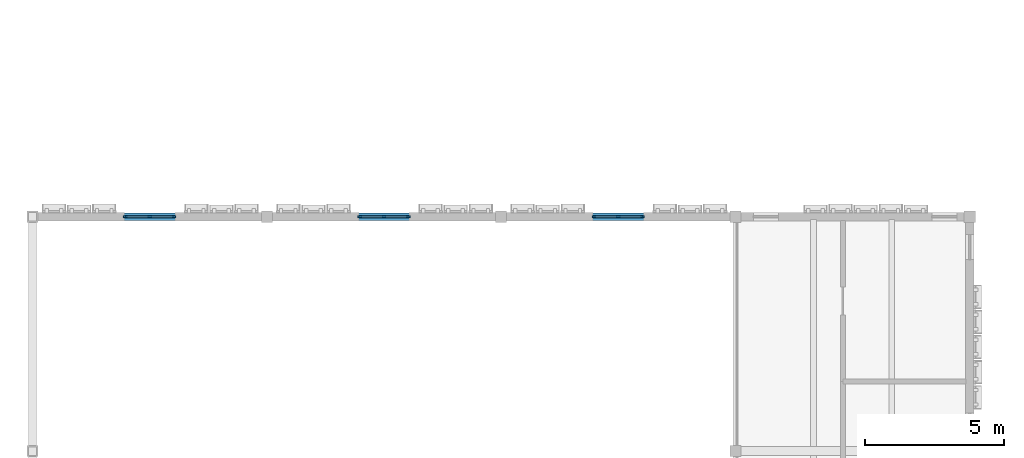
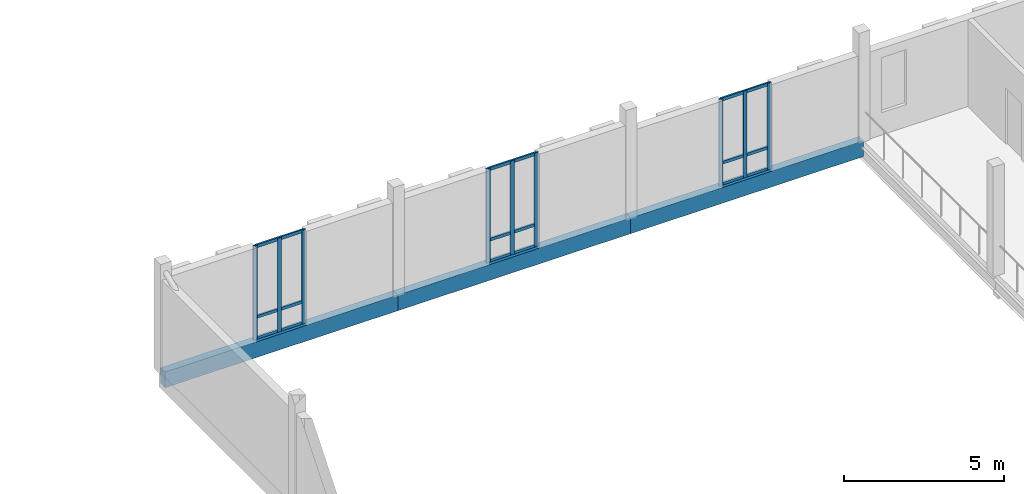
# One storey, part 20 of 81: 18 members, 3 beams, 3 elements without a shape of their own.
"""IFC4 building model written with IfcOpenShell, lengths in metres."""

from ifc_helpers import new_model, si_unit, direction, frame, origin, origin_2d, place, context, subcontext, project, spatial, rectangle, extrude, material, material_profile, profile_set, type_object, element, aggregate, save


model = new_model("IFC4")

# Units and contexts
model_context = context("Model", 3, precision=1e-05, world=origin(), true_north=direction((0.0, 1.0)))
body_context = subcontext(model_context, "Body", "Model", "MODEL_VIEW")
ifc_project = project(units=[si_unit("LENGTHUNIT", "METRE"), si_unit("AREAUNIT", "SQUARE_METRE"), si_unit("VOLUMEUNIT", "CUBIC_METRE"), si_unit("PLANEANGLEUNIT", "RADIAN"), si_unit("MASSUNIT", "GRAM", prefix="KILO")], contexts=[model_context])

# Site, building, storey
site_placement = place(None, origin())
site = spatial("IfcSite", under=ifc_project, at=site_placement, CompositionType="ELEMENT")
building_placement = place(site_placement, origin())
building = spatial("IfcBuilding", under=site, at=building_placement, Name="Kahlenmark Community Centre", CompositionType="ELEMENT")
storey_placement = place(building_placement, frame((0.0, 0.0, 9.60009765625)))
storey = spatial("IfcBuildingStorey", under=building, at=storey_placement, Name="L02", CompositionType="ELEMENT", Elevation=9.60009765625)

# Beams
ifc_material_1 = material(Name="Glulam GL32h", Category="wood")
ifc_material_profile_1 = material_profile(ifc_material_1, rectangle(XDim=0.280029296875, YDim=0.60009765625, at=origin_2d()), Name="GL32h 280x600")
ifc_profile_set_1 = profile_set([ifc_material_profile_1], Name="Glulam GL32h")
beam_type = type_object("IfcBeamType", Name="BT-SPANDREL-GL32h280x600", PredefinedType="SPANDREL", material=ifc_profile_set_1)
beam_1_placement = place(storey_placement, frame((4.0, 76.0, -0.300048828125), z_axis=(1.0, 0.0, 0.0), x_axis=(0.0, 1.0, 0.0)))
element("IfcBeam", 1, at=beam_1_placement, inside=storey, type_object=beam_type, Name="L02 spandrel SP-GL32h280x600", PredefinedType="SPANDREL", context=body_context, shape_type="SweptSolid", body=[
    extrude(rectangle(XDim=0.280029296875, YDim=0.60009765625, at=origin_2d()), origin(), (0.0, 0.0, 1.0), 8.39990234375),
])
beam_2_placement = place(storey_placement, frame((12.39990234375, 76.0, -0.300048828125), z_axis=(1.0, 0.0, 0.0), x_axis=(0.0, 1.0, 0.0)))
element("IfcBeam", 2, at=beam_2_placement, inside=storey, type_object=beam_type, Name="L02 spandrel SP-GL32h280x600", PredefinedType="SPANDREL", context=body_context, shape_type="SweptSolid", body=[
    extrude(rectangle(XDim=0.280029296875, YDim=0.60009765625, at=origin_2d()), origin(), (0.0, 0.0, 1.0), 8.400146484375),
])
beam_3_placement = place(storey_placement, frame((20.800048828125, 76.0, -0.300048828125), z_axis=(1.0, 0.0, 0.0), x_axis=(0.0, 1.0, 0.0)))
element("IfcBeam", 3, at=beam_3_placement, inside=storey, type_object=beam_type, Name="L02 spandrel SP-GL32h280x600", PredefinedType="SPANDREL", context=body_context, shape_type="SweptSolid", body=[
    extrude(rectangle(XDim=0.280029296875, YDim=0.60009765625, at=origin_2d()), origin(), (0.0, 0.0, 1.0), 8.39990234375),
])

# Curtain wall, members
ifc_material_2 = material(Name="Anodised aluminium unitised curtain wall", Category="aluminium")
curtain_wall_type_1 = type_object("IfcCurtainWallType", Name="CWT-UNIT-180X359", PredefinedType="USERDEFINED", material=ifc_material_2)
curtain_wall_1_placement = place(storey_placement, origin())
curtain_wall_1 = element("IfcCurtainWall", 4, at=curtain_wall_1_placement, inside=storey, type_object=curtain_wall_type_1, Name="Unitised curtain wall CW-074", ObjectType="UNITISED CURTAIN WALL", PredefinedType="USERDEFINED")
ifc_material_3 = material(Name="Anodised aluminium 6063-T6", Category="aluminium")
ifc_material_profile_2 = material_profile(ifc_material_3, rectangle(XDim=0.06005859375, YDim=0.139892578125, at=origin_2d()), Name="ALU MULLION 60x140")
ifc_profile_set_2 = profile_set([ifc_material_profile_2], Name="Anodised aluminium 6063-T6")
member_type_1 = type_object("IfcMemberType", Name="MT-MUL-140", PredefinedType="MULLION", material=ifc_profile_set_2)
member_1_placement = place(storey_placement, frame((9.070068359375, 76.0, 0.0), z_axis=(0.0, 0.0, 1.0), x_axis=(0.0, -1.0, 0.0)))
member_1 = element("IfcMember", 5, at=member_1_placement, type_object=member_type_1, Name="CW-074 mullion 1", PredefinedType="MULLION", context=body_context, shape_type="SweptSolid", body=[
    extrude(rectangle(XDim=0.06005859375, YDim=0.139892578125, at=origin_2d()), origin(), (0.0, 0.0, 1.0), 3.58984375),
])
member_2_placement = place(storey_placement, frame((8.199951171875, 76.0, 0.0), z_axis=(0.0, 0.0, 1.0), x_axis=(0.0, -1.0, 0.0)))
member_2 = element("IfcMember", 6, at=member_2_placement, type_object=member_type_1, Name="CW-074 mullion 2", PredefinedType="MULLION", context=body_context, shape_type="SweptSolid", body=[
    extrude(rectangle(XDim=0.06005859375, YDim=0.139892578125, at=origin_2d()), origin(), (0.0, 0.0, 1.0), 3.58984375),
])
member_3_placement = place(storey_placement, frame((7.330078125, 76.0, 0.0), z_axis=(0.0, 0.0, 1.0), x_axis=(0.0, -1.0, 0.0)))
member_3 = element("IfcMember", 7, at=member_3_placement, type_object=member_type_1, Name="CW-074 mullion 3", PredefinedType="MULLION", context=body_context, shape_type="SweptSolid", body=[
    extrude(rectangle(XDim=0.06005859375, YDim=0.139892578125, at=origin_2d()), origin(), (0.0, 0.0, 1.0), 3.58984375),
])

curtain_wall_2_placement = place(storey_placement, origin())
curtain_wall_2 = element("IfcCurtainWall", 8, at=curtain_wall_2_placement, inside=storey, type_object=curtain_wall_type_1, Name="Unitised curtain wall CW-075", ObjectType="UNITISED CURTAIN WALL", PredefinedType="USERDEFINED")
member_4_placement = place(storey_placement, frame((17.469970703125, 76.0, 0.0), z_axis=(0.0, 0.0, 1.0), x_axis=(0.0, -1.0, 0.0)))
member_4 = element("IfcMember", 9, at=member_4_placement, type_object=member_type_1, Name="CW-075 mullion 1", PredefinedType="MULLION", context=body_context, shape_type="SweptSolid", body=[
    extrude(rectangle(XDim=0.06005859375, YDim=0.139892578125, at=origin_2d()), origin(), (0.0, 0.0, 1.0), 3.58984375),
])
member_5_placement = place(storey_placement, frame((16.60009765625, 76.0, 0.0), z_axis=(0.0, 0.0, 1.0), x_axis=(0.0, -1.0, 0.0)))
member_5 = element("IfcMember", 10, at=member_5_placement, type_object=member_type_1, Name="CW-075 mullion 2", PredefinedType="MULLION", context=body_context, shape_type="SweptSolid", body=[
    extrude(rectangle(XDim=0.06005859375, YDim=0.139892578125, at=origin_2d()), origin(), (0.0, 0.0, 1.0), 3.58984375),
])
member_6_placement = place(storey_placement, frame((15.72998046875, 76.0, 0.0), z_axis=(0.0, 0.0, 1.0), x_axis=(0.0, -1.0, 0.0)))
member_6 = element("IfcMember", 11, at=member_6_placement, type_object=member_type_1, Name="CW-075 mullion 3", PredefinedType="MULLION", context=body_context, shape_type="SweptSolid", body=[
    extrude(rectangle(XDim=0.06005859375, YDim=0.139892578125, at=origin_2d()), origin(), (0.0, 0.0, 1.0), 3.58984375),
])

curtain_wall_type_2 = type_object("IfcCurtainWallType", Name="CWT-UNIT-180X331", PredefinedType="USERDEFINED", material=ifc_material_2)
curtain_wall_3_placement = place(storey_placement, origin())
curtain_wall_3 = element("IfcCurtainWall", 12, at=curtain_wall_3_placement, inside=storey, type_object=curtain_wall_type_2, Name="Unitised curtain wall CW-076", ObjectType="UNITISED CURTAIN WALL", PredefinedType="USERDEFINED")
member_7_placement = place(storey_placement, frame((25.8701171875, 76.0, 0.0), z_axis=(0.0, 0.0, 1.0), x_axis=(0.0, -1.0, 0.0)))
member_7 = element("IfcMember", 13, at=member_7_placement, type_object=member_type_1, Name="CW-076 mullion 1", PredefinedType="MULLION", context=body_context, shape_type="SweptSolid", body=[
    extrude(rectangle(XDim=0.06005859375, YDim=0.139892578125, at=origin_2d()), origin(), (0.0, 0.0, 1.0), 3.309814453125),
])
member_8_placement = place(storey_placement, frame((25.0, 76.0, 0.0), z_axis=(0.0, 0.0, 1.0), x_axis=(0.0, -1.0, 0.0)))
member_8 = element("IfcMember", 14, at=member_8_placement, type_object=member_type_1, Name="CW-076 mullion 2", PredefinedType="MULLION", context=body_context, shape_type="SweptSolid", body=[
    extrude(rectangle(XDim=0.06005859375, YDim=0.139892578125, at=origin_2d()), origin(), (0.0, 0.0, 1.0), 3.309814453125),
])
member_9_placement = place(storey_placement, frame((24.1298828125, 76.0, 0.0), z_axis=(0.0, 0.0, 1.0), x_axis=(0.0, -1.0, 0.0)))
member_9 = element("IfcMember", 15, at=member_9_placement, type_object=member_type_1, Name="CW-076 mullion 3", PredefinedType="MULLION", context=body_context, shape_type="SweptSolid", body=[
    extrude(rectangle(XDim=0.06005859375, YDim=0.139892578125, at=origin_2d()), origin(), (0.0, 0.0, 1.0), 3.309814453125),
])

# Member
ifc_material_profile_3 = material_profile(ifc_material_3, rectangle(XDim=0.06005859375, YDim=0.1201171875, at=origin_2d()), Name="ALU TRANSOM 60x120")
ifc_profile_set_3 = profile_set([ifc_material_profile_3], Name="Anodised aluminium 6063-T6")
member_type_2 = type_object("IfcMemberType", Name="MT-TRN-120", PredefinedType="USERDEFINED", material=ifc_profile_set_3)
member_10_placement = place(storey_placement, frame((9.070068359375, 76.0, 0.039794921875), z_axis=(-1.0, 0.0, 0.0), x_axis=(0.0, -1.0, 0.0)))
member_10 = element("IfcMember", 16, at=member_10_placement, type_object=member_type_2, Name="CW-074 transom 1", ObjectType="TRANSOM", PredefinedType="USERDEFINED", context=body_context, shape_type="SweptSolid", body=[
    extrude(rectangle(XDim=0.06005859375, YDim=0.1201171875, at=origin_2d()), origin(), (0.0, 0.0, 1.0), 1.739990234375),
])

member_11_placement = place(storey_placement, frame((9.070068359375, 76.0, 0.849853515625), z_axis=(-1.0, 0.0, 0.0), x_axis=(0.0, -1.0, 0.0)))
member_11 = element("IfcMember", 17, at=member_11_placement, type_object=member_type_2, Name="CW-074 transom 2", ObjectType="TRANSOM", PredefinedType="USERDEFINED", context=body_context, shape_type="SweptSolid", body=[
    extrude(rectangle(XDim=0.06005859375, YDim=0.1201171875, at=origin_2d()), origin(), (0.0, 0.0, 1.0), 1.739990234375),
])

member_12_placement = place(storey_placement, frame((9.070068359375, 76.0, 3.5498046875), z_axis=(-1.0, 0.0, 0.0), x_axis=(0.0, -1.0, 0.0)))
member_12 = element("IfcMember", 18, at=member_12_placement, type_object=member_type_2, Name="CW-074 transom 3", ObjectType="TRANSOM", PredefinedType="USERDEFINED", context=body_context, shape_type="SweptSolid", body=[
    extrude(rectangle(XDim=0.06005859375, YDim=0.1201171875, at=origin_2d()), origin(), (0.0, 0.0, 1.0), 1.739990234375),
])

aggregate(curtain_wall_1, [member_1, member_2, member_3, member_10, member_11, member_12])

member_13_placement = place(storey_placement, frame((17.469970703125, 76.0, 0.039794921875), z_axis=(-1.0, 0.0, 0.0), x_axis=(0.0, -1.0, 0.0)))
member_13 = element("IfcMember", 19, at=member_13_placement, type_object=member_type_2, Name="CW-075 transom 1", ObjectType="TRANSOM", PredefinedType="USERDEFINED", context=body_context, shape_type="SweptSolid", body=[
    extrude(rectangle(XDim=0.06005859375, YDim=0.1201171875, at=origin_2d()), origin(), (0.0, 0.0, 1.0), 1.739990234375),
])

member_14_placement = place(storey_placement, frame((17.469970703125, 76.0, 0.849853515625), z_axis=(-1.0, 0.0, 0.0), x_axis=(0.0, -1.0, 0.0)))
member_14 = element("IfcMember", 20, at=member_14_placement, type_object=member_type_2, Name="CW-075 transom 2", ObjectType="TRANSOM", PredefinedType="USERDEFINED", context=body_context, shape_type="SweptSolid", body=[
    extrude(rectangle(XDim=0.06005859375, YDim=0.1201171875, at=origin_2d()), origin(), (0.0, 0.0, 1.0), 1.739990234375),
])

member_15_placement = place(storey_placement, frame((17.469970703125, 76.0, 3.5498046875), z_axis=(-1.0, 0.0, 0.0), x_axis=(0.0, -1.0, 0.0)))
member_15 = element("IfcMember", 21, at=member_15_placement, type_object=member_type_2, Name="CW-075 transom 3", ObjectType="TRANSOM", PredefinedType="USERDEFINED", context=body_context, shape_type="SweptSolid", body=[
    extrude(rectangle(XDim=0.06005859375, YDim=0.1201171875, at=origin_2d()), origin(), (0.0, 0.0, 1.0), 1.739990234375),
])

aggregate(curtain_wall_2, [member_4, member_5, member_6, member_13, member_14, member_15])

member_16_placement = place(storey_placement, frame((25.8701171875, 76.0, 0.039794921875), z_axis=(-1.0, 0.0, 0.0), x_axis=(0.0, -1.0, 0.0)))
member_16 = element("IfcMember", 22, at=member_16_placement, type_object=member_type_2, Name="CW-076 transom 1", ObjectType="TRANSOM", PredefinedType="USERDEFINED", context=body_context, shape_type="SweptSolid", body=[
    extrude(rectangle(XDim=0.06005859375, YDim=0.1201171875, at=origin_2d()), origin(), (0.0, 0.0, 1.0), 1.740234375),
])

member_17_placement = place(storey_placement, frame((25.8701171875, 76.0, 0.849853515625), z_axis=(-1.0, 0.0, 0.0), x_axis=(0.0, -1.0, 0.0)))
member_17 = element("IfcMember", 23, at=member_17_placement, type_object=member_type_2, Name="CW-076 transom 2", ObjectType="TRANSOM", PredefinedType="USERDEFINED", context=body_context, shape_type="SweptSolid", body=[
    extrude(rectangle(XDim=0.06005859375, YDim=0.1201171875, at=origin_2d()), origin(), (0.0, 0.0, 1.0), 1.740234375),
])

member_18_placement = place(storey_placement, frame((25.8701171875, 76.0, 3.27001953125), z_axis=(-1.0, 0.0, 0.0), x_axis=(0.0, -1.0, 0.0)))
member_18 = element("IfcMember", 24, at=member_18_placement, type_object=member_type_2, Name="CW-076 transom 3", ObjectType="TRANSOM", PredefinedType="USERDEFINED", context=body_context, shape_type="SweptSolid", body=[
    extrude(rectangle(XDim=0.06005859375, YDim=0.1201171875, at=origin_2d()), origin(), (0.0, 0.0, 1.0), 1.740234375),
])

aggregate(curtain_wall_3, [member_7, member_8, member_9, member_16, member_17, member_18])

save(model, "model.ifc")
